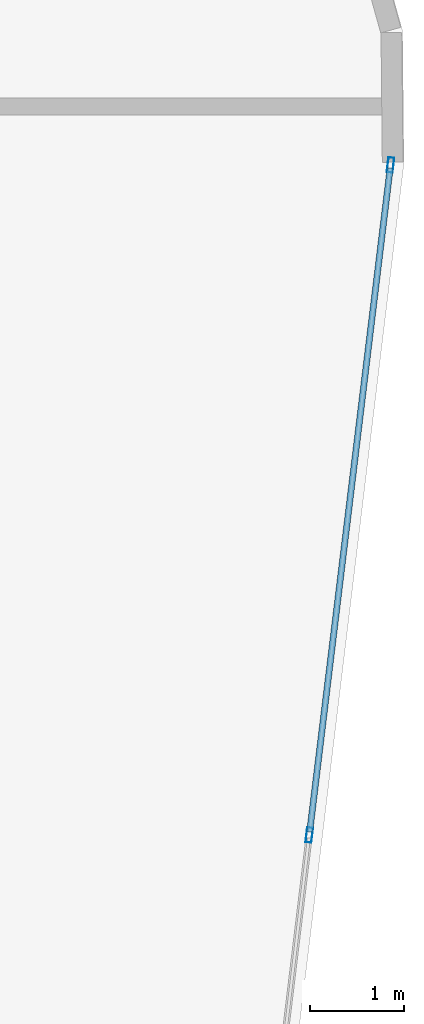
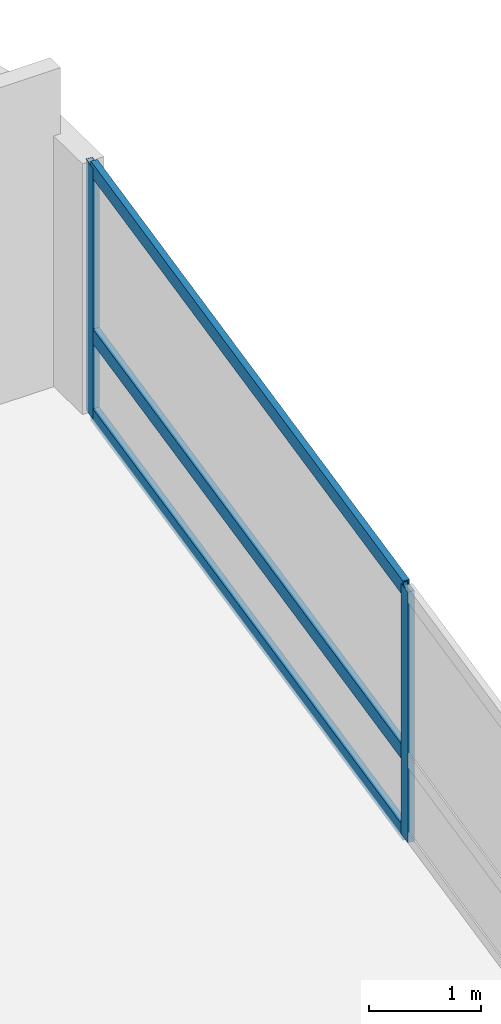
# One storey, part 18 of 26: 5 members, 1 element without a shape of its own.
"""IFC4 building model written with IfcOpenShell, lengths in metres."""

from ifc_helpers import new_model, si_unit, direction, frame, origin, origin_2d, place, context, subcontext, project, spatial, hollow_rectangle, extrude, material, layer, layer_set, material_profile, profile_set, type_object, element, aggregate, save


model = new_model("IFC4")

# Units and contexts
model_context = context("Model", 3, precision=1e-05, world=origin(), true_north=direction((0.0, 1.0)))
body_context = subcontext(model_context, "Body", "Model", "MODEL_VIEW")
ifc_project = project(units=[si_unit("LENGTHUNIT", "METRE"), si_unit("AREAUNIT", "SQUARE_METRE"), si_unit("VOLUMEUNIT", "CUBIC_METRE"), si_unit("PLANEANGLEUNIT", "RADIAN"), si_unit("MASSUNIT", "GRAM", prefix="KILO")], contexts=[model_context])

# Site, building, storey
site_placement = place(None, origin())
site = spatial("IfcSite", under=ifc_project, at=site_placement, CompositionType="ELEMENT")
building_placement = place(site_placement, origin())
building = spatial("IfcBuilding", under=site, at=building_placement, Name="Varnelok Gate Tower", CompositionType="ELEMENT")
storey_placement = place(building_placement, frame((0.0, 0.0, 147.60009765625)))
storey = spatial("IfcBuildingStorey", under=building, at=storey_placement, Name="L37", CompositionType="ELEMENT", Elevation=147.60009765625)

# Curtain wall, members
ifc_material = material(Name="Anodized Aluminum Alloy 6063-T6", Category="aluminium")
ifc_layer = layer(ifc_material, 0.179931640625)
ifc_layer_set = layer_set([ifc_layer], Name="Anodized Aluminum Alloy 6063-T6")
curtain_wall_type = type_object("IfcCurtainWallType", Name="CW3-HOTEL-VISION", PredefinedType="USERDEFINED", material=ifc_layer_set)
curtain_wall_placement = place(storey_placement, origin())
curtain_wall = element("IfcCurtainWall", 1, at=curtain_wall_placement, inside=storey, type_object=curtain_wall_type, Name="L37 East End Vision Curtain Wall", ObjectType="UNITISED CURTAIN WALL", PredefinedType="USERDEFINED")
ifc_material_profile_1 = material_profile(ifc_material, hollow_rectangle(XDim=0.06494140625, YDim=0.159912109375, WallThickness=0.00390625, at=origin_2d()), Name="ALU160X65X4")
ifc_profile_set_1 = profile_set([ifc_material_profile_1], Name="Anodized Aluminum Alloy 6063-T6")
member_type_1 = type_object("IfcMemberType", Name="CW-MULL-160", PredefinedType="MULLION", material=ifc_profile_set_1)
member_1_placement = place(storey_placement, frame((78.153076171875, 38.677001953125, 0.0), z_axis=(0.0, 0.0, 1.0), x_axis=(0.99273188146, -0.120347046212, 0.0)))
member_1 = element("IfcMember", 2, at=member_1_placement, type_object=member_type_1, Name="CW3 mullion 1", PredefinedType="MULLION", context=body_context, shape_type="SweptSolid", body=[
    extrude(hollow_rectangle(XDim=0.06494140625, YDim=0.159912109375, WallThickness=0.00390625, at=origin_2d()), origin(), (0.0, 0.0, 1.0), 2.72998046875),
])
member_2_placement = place(storey_placement, frame((77.290283203125, 31.5615234375, 0.0), z_axis=(0.0, 0.0, 1.0), x_axis=(0.99273188146, -0.120347046212, 0.0)))
member_2 = element("IfcMember", 3, at=member_2_placement, type_object=member_type_1, Name="CW3 mullion 2", PredefinedType="MULLION", context=body_context, shape_type="SweptSolid", body=[
    extrude(hollow_rectangle(XDim=0.06494140625, YDim=0.159912109375, WallThickness=0.00390625, at=origin_2d()), origin(), (0.0, 0.0, 1.0), 2.72998046875),
])
ifc_material_profile_2 = material_profile(ifc_material, hollow_rectangle(XDim=0.06494140625, YDim=0.159912109375, WallThickness=0.00390625, at=origin_2d()), Name="ALU160X65X4")
ifc_profile_set_2 = profile_set([ifc_material_profile_2], Name="Anodized Aluminum Alloy 6063-T6")
member_type_2 = type_object("IfcMemberType", Name="CW-TRAN-160", PredefinedType="USERDEFINED", material=ifc_profile_set_2)
member_3_placement = place(storey_placement, frame((78.149169921875, 38.644775390625, 0.032470703125), z_axis=(-0.120374481497, -0.992728555147, 0.0), x_axis=(0.992728555147, -0.120374481497, 0.0)))
member_3 = element("IfcMember", 4, at=member_3_placement, type_object=member_type_2, Name="CW3 transom 1.1", ObjectType="TRANSOM", PredefinedType="USERDEFINED", context=body_context, shape_type="SweptSolid", body=[
    extrude(hollow_rectangle(XDim=0.06494140625, YDim=0.159912109375, WallThickness=0.00390625, at=origin_2d()), origin(), (0.0, 0.0, 1.0), 7.102783203125),
])
member_4_placement = place(storey_placement, frame((78.149169921875, 38.644775390625, 0.89990234375), z_axis=(-0.120374481497, -0.992728555147, 0.0), x_axis=(0.992728555147, -0.120374481497, 0.0)))
member_4 = element("IfcMember", 5, at=member_4_placement, type_object=member_type_2, Name="CW3 transom 1.2", ObjectType="TRANSOM", PredefinedType="USERDEFINED", context=body_context, shape_type="SweptSolid", body=[
    extrude(hollow_rectangle(XDim=0.06494140625, YDim=0.159912109375, WallThickness=0.00390625, at=origin_2d()), origin(), (0.0, 0.0, 1.0), 7.102783203125),
])
member_5_placement = place(storey_placement, frame((78.149169921875, 38.644775390625, 2.697509765625), z_axis=(-0.120374481497, -0.992728555147, 0.0), x_axis=(0.992728555147, -0.120374481497, 0.0)))
member_5 = element("IfcMember", 6, at=member_5_placement, type_object=member_type_2, Name="CW3 transom 1.3", ObjectType="TRANSOM", PredefinedType="USERDEFINED", context=body_context, shape_type="SweptSolid", body=[
    extrude(hollow_rectangle(XDim=0.06494140625, YDim=0.159912109375, WallThickness=0.00390625, at=origin_2d()), origin(), (0.0, 0.0, 1.0), 7.102783203125),
])
aggregate(curtain_wall, [member_1, member_2, member_3, member_4, member_5])

save(model, "model.ifc")
